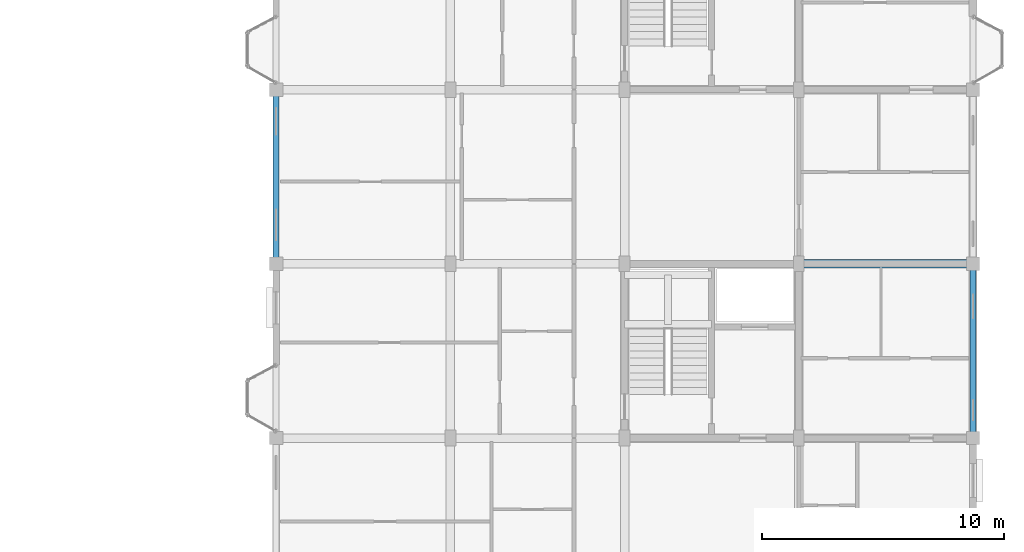
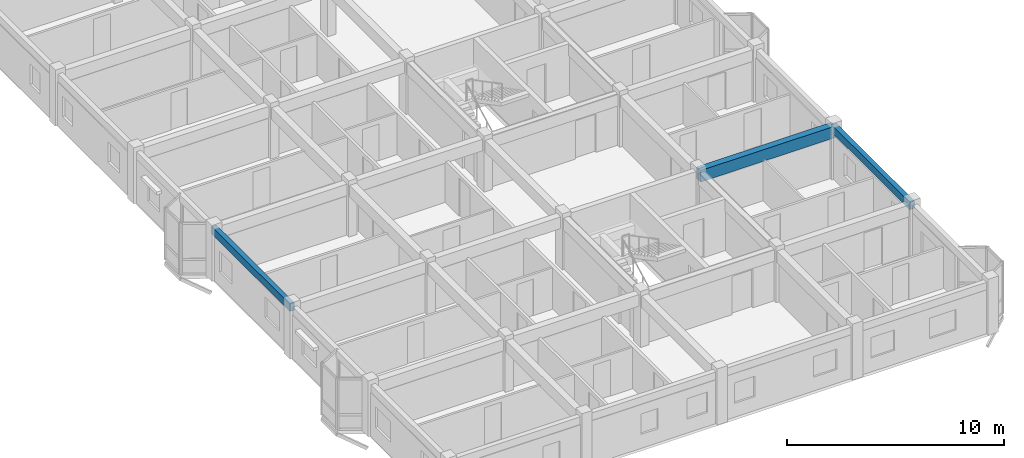
# One storey, part 26 of 77: 3 beams.
"""IFC4 building model written with IfcOpenShell, lengths in metres."""

from ifc_helpers import new_model, si_unit, direction, frame, origin, origin_2d, place, context, subcontext, project, spatial, rectangle, extrude, material, material_profile, profile_set, type_object, element, save


model = new_model("IFC4")

# Units and contexts
model_context = context("Model", 3, precision=1e-05, world=origin(), true_north=direction((0.0, 1.0)))
body_context = subcontext(model_context, "Body", "Model", "MODEL_VIEW")
ifc_project = project(units=[si_unit("LENGTHUNIT", "METRE"), si_unit("AREAUNIT", "SQUARE_METRE"), si_unit("VOLUMEUNIT", "CUBIC_METRE"), si_unit("PLANEANGLEUNIT", "RADIAN"), si_unit("MASSUNIT", "GRAM", prefix="KILO"), si_unit("THERMODYNAMICTEMPERATUREUNIT", "KELVIN"), si_unit("POWERUNIT", "WATT")], contexts=[model_context])

# Site, building, storey
site_placement = place(None, origin())
site = spatial("IfcSite", under=ifc_project, at=site_placement, CompositionType="ELEMENT")
building_placement = place(site_placement, origin())
building = spatial("IfcBuilding", under=site, at=building_placement, Name="Tavuni Mirador Residences", CompositionType="ELEMENT")
storey_placement = place(building_placement, frame((0.0, 0.0, 10.800048828125)))
storey = spatial("IfcBuildingStorey", under=building, at=storey_placement, Name="L03", CompositionType="ELEMENT", Elevation=10.800048828125)

# Beams
ifc_material = material(Name="Precast concrete C40/50", Category="concrete")
ifc_material_profile_1 = material_profile(ifc_material, rectangle(XDim=0.35009765625, YDim=0.64990234375, at=origin_2d()), Name="PC 350x650", Category="concrete")
ifc_profile_set_1 = profile_set([ifc_material_profile_1], Name="Precast concrete C40/50")
beam_type_1 = type_object("IfcBeamType", Name="BT-B650", PredefinedType="BEAM", material=ifc_profile_set_1)
beam_placement = place(storey_placement, frame((111.60009765625, 100.800048828125, 2.56494140625), z_axis=(1.0, 0.0, 0.0), x_axis=(0.0, 1.0, 0.0)))
element("IfcBeam", 1, at=beam_placement, inside=storey, type_object=beam_type_1, Name="BMX-BLK-D-L03-03-02", PredefinedType="BEAM", context=body_context, shape_type="SweptSolid", body=[
    extrude(rectangle(XDim=0.35009765625, YDim=0.64990234375, at=origin_2d()), origin(), (0.0, 0.0, 1.0), 7.199951171875),
])
ifc_material_profile_2 = material_profile(ifc_material, rectangle(XDim=0.25, YDim=0.419921875, at=origin_2d()), Name="PC 250x420", Category="concrete")
ifc_profile_set_2 = profile_set([ifc_material_profile_2], Name="Precast concrete C40/50")
beam_type_2 = type_object("IfcBeamType", Name="BT-SP420", PredefinedType="SPANDREL", material=ifc_profile_set_2)
for number, where, z_axis, x_axis, name in (
    (2, (90.0, 100.800048828125, 2.679931640625), (0.0, 1.0, 0.0), (-1.0, 0.0, 0.0), "BMY-BLK-D-L03-00-02"),
    (3, (118.800048828125, 93.60009765625, 2.679931640625), (0.0, 1.0, 0.0), (-1.0, 0.0, 0.0), "BMY-BLK-D-L03-04-01"),
):
    element("IfcBeam", number, at=place(storey_placement, frame(where, z_axis=z_axis, x_axis=x_axis)), inside=storey, type_object=beam_type_2, Name=name, PredefinedType="SPANDREL", context=body_context, shape_type="SweptSolid", body=[
        extrude(rectangle(XDim=0.25, YDim=0.419921875, at=origin_2d()), origin(), (0.0, 0.0, 1.0), 7.199951171875),
    ])

save(model, "model.ifc")
